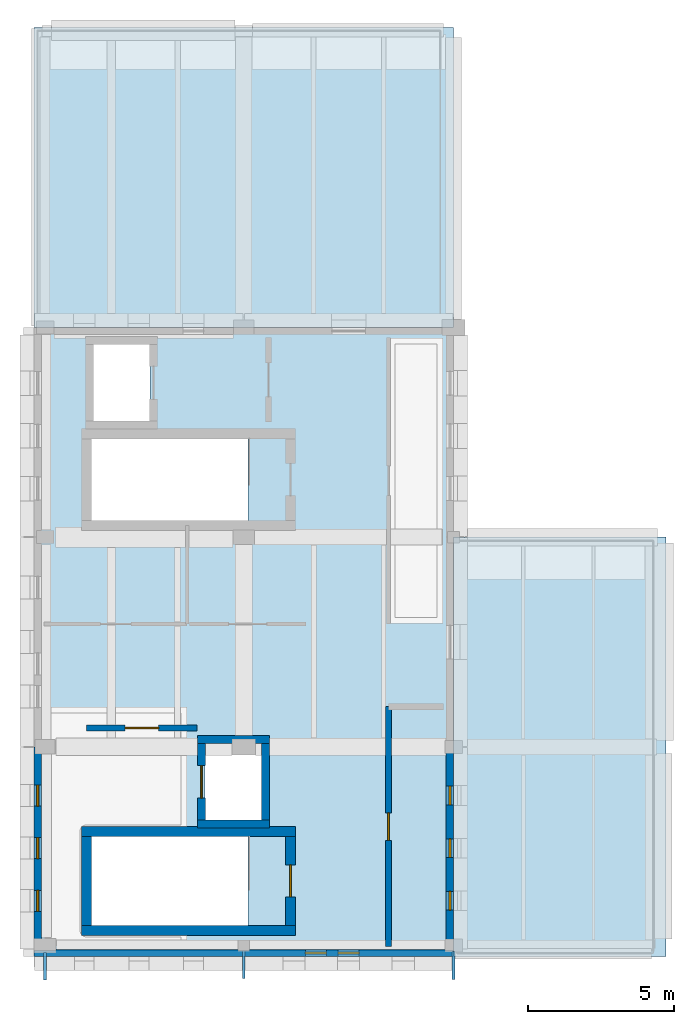
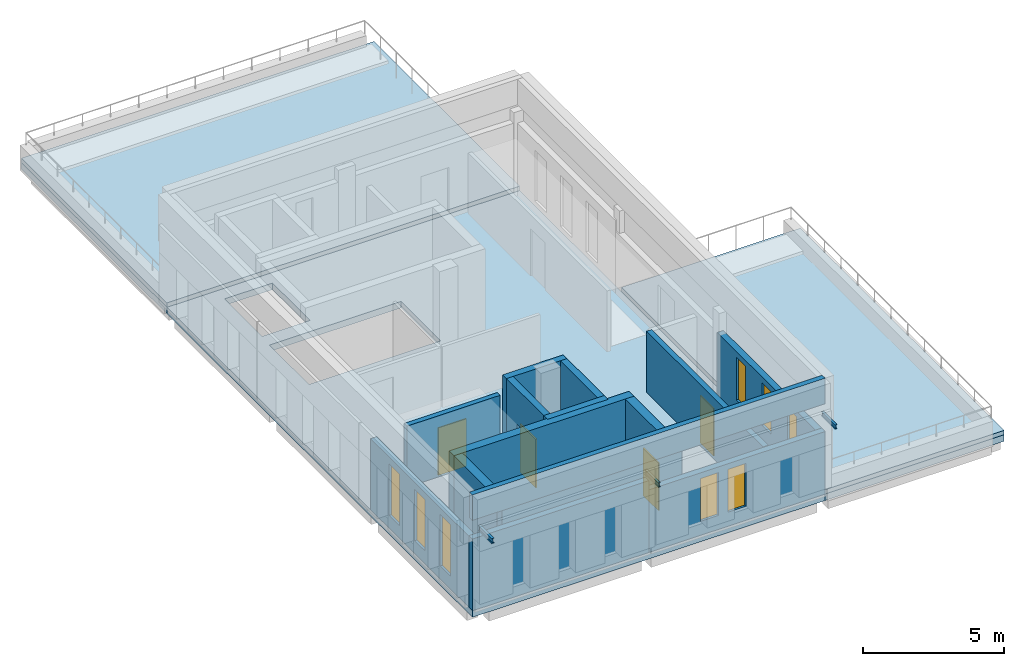
# One storey, part 2 of 6: 15 walls, 8 windows, 5 slabs, 4 doors, 3 members, 12 openings.
"""IFC4 building model written with IfcOpenShell, lengths in metres."""

from ifc_helpers import new_model, si_unit, direction, frame, frame_2d, origin, origin_2d, place, context, subcontext, project, spatial, polyline, rectangle, i_section, outline, extrude, material, layer, layer_set, material_profile, profile_set, type_object, element, fill, save


model = new_model("IFC4")

# Units and contexts
model_context = context("Model", 3, precision=1e-05, world=origin(), true_north=direction((0.0, 1.0)))
body_context = subcontext(model_context, "Body", "Model", "MODEL_VIEW")
ifc_project = project(units=[si_unit("LENGTHUNIT", "METRE"), si_unit("AREAUNIT", "SQUARE_METRE"), si_unit("VOLUMEUNIT", "CUBIC_METRE"), si_unit("PLANEANGLEUNIT", "RADIAN"), si_unit("MASSUNIT", "GRAM", prefix="KILO")], contexts=[model_context])

# Site, building, storey
site_placement = place(None, origin())
site = spatial("IfcSite", under=ifc_project, at=site_placement, CompositionType="ELEMENT")
building_placement = place(site_placement, origin())
building = spatial("IfcBuilding", under=site, at=building_placement, Name="Vardoun Plaza Health Centre", CompositionType="ELEMENT")
storey_placement = place(building_placement, frame((0.0, 0.0, 25.050048828125)))
storey = spatial("IfcBuildingStorey", under=building, at=storey_placement, Name="L06", CompositionType="ELEMENT", Elevation=25.050048828125)

# Members
ifc_material_1 = material(Name="Steel S355J2", Category="steel")
ifc_material_profile_1 = material_profile(ifc_material_1, i_section(OverallWidth=0.110107421875, OverallDepth=0.219970703125, WebThickness=0.005859375, FlangeThickness=0.00927734375, FilletRadius=0.011962890625, at=origin_2d()), Name="IPE 220")
ifc_profile_set_1 = profile_set([ifc_material_profile_1], Name="Steel S355J2")
member_type_1 = type_object("IfcMemberType", Name="CR-02", PredefinedType="RAFTER", material=ifc_profile_set_1)
member_1_placement = place(storey_placement, frame((4.8798828125, 4.64990234375, 3.369873046875), z_axis=(0.0, -1.0, 0.0), x_axis=(1.0, 0.0, 0.0)))
element("IfcMember", 1, at=member_1_placement, inside=storey, type_object=member_type_1, Name="V2 L06 South Facade Shading Fin Arm SH-V2-L06-036", PredefinedType="RAFTER", context=body_context, shape_type="SweptSolid", body=[
    extrude(i_section(OverallWidth=0.110107421875, OverallDepth=0.219970703125, WebThickness=0.005859375, FlangeThickness=0.00927734375, FilletRadius=0.011962890625, at=origin_2d()), origin(), (0.0, 0.0, 1.0), 0.949951171875),
])
ifc_material_2 = material(Name="Steel S355J2", Category="steel")
ifc_material_profile_2 = material_profile(ifc_material_2, i_section(OverallWidth=0.10009765625, OverallDepth=0.199951171875, WebThickness=0.005615234375, FlangeThickness=0.008544921875, FilletRadius=0.011962890625, at=origin_2d()), Name="IPE 200")
ifc_profile_set_2 = profile_set([ifc_material_profile_2], Name="Steel S355J2")
member_type_2 = type_object("IfcMemberType", Name="CR-03", PredefinedType="RAFTER", material=ifc_profile_set_2)
member_2_placement = place(storey_placement, frame((11.699951171875, 4.699951171875, 3.369873046875), z_axis=(0.0, -1.0, 0.0), x_axis=(1.0, 0.0, 0.0)))
element("IfcMember", 2, at=member_2_placement, inside=storey, type_object=member_type_2, Name="V2 L06 South Facade Shading Fin Arm SH-V2-L06-037", PredefinedType="RAFTER", context=body_context, shape_type="SweptSolid", body=[
    extrude(i_section(OverallWidth=0.10009765625, OverallDepth=0.199951171875, WebThickness=0.005615234375, FlangeThickness=0.008544921875, FilletRadius=0.011962890625, at=origin_2d()), origin(), (0.0, 0.0, 1.0), 0.949951171875),
])
ifc_material_3 = material(Name="Steel S355J2", Category="steel")
ifc_material_profile_3 = material_profile(ifc_material_3, i_section(OverallWidth=0.091064453125, OverallDepth=0.179931640625, WebThickness=0.00537109375, FlangeThickness=0.008056640625, FilletRadius=0.009033203125, at=origin_2d()), Name="IPE 180")
ifc_profile_set_3 = profile_set([ifc_material_profile_3], Name="Steel S355J2")
member_type_3 = type_object("IfcMemberType", Name="CR-04", PredefinedType="RAFTER", material=ifc_profile_set_3)
member_3_placement = place(storey_placement, frame((18.89990234375, 4.675048828125, 3.369873046875), z_axis=(0.0, -1.0, 0.0), x_axis=(1.0, 0.0, 0.0)))
element("IfcMember", 3, at=member_3_placement, inside=storey, type_object=member_type_3, Name="V2 L06 South Facade Shading Fin Arm SH-V2-L06-038", PredefinedType="RAFTER", context=body_context, shape_type="SweptSolid", body=[
    extrude(i_section(OverallWidth=0.091064453125, OverallDepth=0.179931640625, WebThickness=0.00537109375, FlangeThickness=0.008056640625, FilletRadius=0.009033203125, at=origin_2d()), origin(), (0.0, 0.0, 1.0), 0.949951171875),
])

# Slabs
ifc_material_4 = material(Name="Pale Limestone Concrete C35/45", Category="masonry")
ifc_layer_1 = layer(ifc_material_4, 0.239990234375)
ifc_layer_set_1 = layer_set([ifc_layer_1], Name="Pale Limestone Concrete C35/45")
slab_type_1 = type_object("IfcSlabType", Name="RF-01", PredefinedType="ROOF", material=ifc_layer_set_1)
slab_1_placement = place(storey_placement, frame((0.0, 0.0, -0.280029296875)))
element("IfcSlab", 4, at=slab_1_placement, inside=storey, type_object=slab_type_1, Name="V2 L06 Step-Back Structural Roof Slab 1", PredefinedType="ROOF", context=body_context, shape_type="SweptSolid", body=[
    extrude(outline(polyline([(4.5, 26.10009765625), (18.89990234375, 26.10009765625), (18.89990234375, 36.39990234375), (4.5, 36.39990234375), (4.5, 26.10009765625)])), origin(), (0.0, 0.0, 1.0), 0.280029296875),
])
slab_2_placement = place(storey_placement, frame((0.0, 0.0, -0.280029296875)))
element("IfcSlab", 5, at=slab_2_placement, inside=storey, type_object=slab_type_1, Name="V2 L06 Step-Back Structural Roof Slab 2", PredefinedType="ROOF", context=body_context, shape_type="SweptSolid", body=[
    extrude(outline(polyline([(18.89990234375, 4.5), (26.199951171875, 4.5), (26.199951171875, 18.89990234375), (18.89990234375, 18.89990234375), (18.89990234375, 4.5)])), origin(), (0.0, 0.0, 1.0), 0.280029296875),
])
ifc_material_5 = material(Name="Concrete C35/45", Category="concrete")
ifc_layer_2 = layer(ifc_material_5, 0.280029296875)
ifc_layer_set_2 = layer_set([ifc_layer_2], Name="Concrete C35/45")
slab_type_2 = type_object("IfcSlabType", Name="SL-03", PredefinedType="FLOOR", material=ifc_layer_set_2)
slab_3_placement = place(storey_placement, frame((0.0, 0.0, -0.280029296875)))
element("IfcSlab", 6, at=slab_3_placement, inside=storey, type_object=slab_type_2, Name="V2 L06 Structural Slab", PredefinedType="FLOOR", context=body_context, shape_type="SweptSolid", body=[
    extrude(outline(polyline([(4.5, 4.5), (18.89990234375, 4.5), (18.89990234375, 26.10009765625), (4.5, 26.10009765625), (4.5, 4.5)]), holes=[polyline([(6.47509765625, 5.574951171875), (11.849365234375, 5.574951171875), (11.849365234375, 8.625), (6.47509765625, 8.625), (6.47509765625, 5.574951171875)]), polyline([(10.3701171875, 9.169921875), (12.330078125, 9.169921875), (12.330078125, 11.830078125), (10.3701171875, 11.830078125), (10.3701171875, 9.169921875)]), polyline([(6.47509765625, 19.47509765625), (11.849365234375, 19.47509765625), (11.849365234375, 22.27490234375), (6.47509765625, 22.27490234375), (6.47509765625, 19.47509765625)]), polyline([(6.52001953125, 22.8701171875), (8.47998046875, 22.8701171875), (8.47998046875, 25.530029296875), (6.52001953125, 25.530029296875), (6.52001953125, 22.8701171875)])]), origin(), (0.0, 0.0, 1.0), 0.280029296875),
])
ifc_material_6 = material(Name="Pale Limestone Concrete C35/45", Category="masonry")
ifc_layer_3 = layer(ifc_material_6, 0.18994140625)
ifc_layer_set_3 = layer_set([ifc_layer_3], Name="Pale Limestone Concrete C35/45")
slab_type_3 = type_object("IfcSlabType", Name="SL-T1", PredefinedType="FLOOR", material=ifc_layer_set_3)
slab_4_placement = place(storey_placement, origin())
element("IfcSlab", 7, at=slab_4_placement, inside=storey, type_object=slab_type_3, Name="V2 L06 Planted Roof-Garden Terrace 1", PredefinedType="FLOOR", context=body_context, shape_type="SweptSolid", body=[
    extrude(outline(polyline([(4.5, 26.10009765625), (18.89990234375, 26.10009765625), (18.89990234375, 36.39990234375), (4.5, 36.39990234375), (4.5, 26.10009765625)])), origin(), (0.0, 0.0, 1.0), 0.18994140625),
])
slab_5_placement = place(storey_placement, origin())
element("IfcSlab", 8, at=slab_5_placement, inside=storey, type_object=slab_type_3, Name="V2 L06 Planted Roof-Garden Terrace 2", PredefinedType="FLOOR", context=body_context, shape_type="SweptSolid", body=[
    extrude(outline(polyline([(18.89990234375, 4.5), (26.199951171875, 4.5), (26.199951171875, 18.89990234375), (18.89990234375, 18.89990234375), (18.89990234375, 4.5)])), origin(), (0.0, 0.0, 1.0), 0.18994140625),
])

# Wall
ifc_material_7 = material(Name="Concrete C40/50", Category="concrete")
ifc_layer_4 = layer(ifc_material_7, 0.27001953125)
ifc_layer_set_4 = layer_set([ifc_layer_4], Name="Concrete C40/50")
wall_type_1 = type_object("IfcWallType", Name="SW-03", PredefinedType="SHEAR", material=ifc_layer_set_4)
wall_1_placement = place(storey_placement, frame((12.5849609375, 9.050048828125, 0.0), z_axis=(0.0, 0.0, 1.0), x_axis=(-1.0, 0.0, 0.0)))
element("IfcWall", 9, at=wall_1_placement, inside=storey, type_object=wall_type_1, Name="Lift LF-01 L06 Shaft Wall S", PredefinedType="SHEAR", context=body_context, shape_type="SweptSolid", body=[
    extrude(rectangle(XDim=2.469970703125, YDim=0.27001953125, at=frame_2d((1.23486328125, 0.0))), origin(), (0.0, 0.0, 1.0), 3.619873046875),
])

# Wall, opening, door
wall_2_placement = place(storey_placement, frame((10.25, 9.18505859375, 0.0), z_axis=(0.0, 0.0, 1.0), x_axis=(0.0, 1.0, 0.0)))
wall_2 = element("IfcWall", 10, at=wall_2_placement, inside=storey, type_object=wall_type_1, Name="Lift LF-01 L06 Shaft Wall W", PredefinedType="SHEAR", context=body_context, shape_type="SweptSolid", body=[
    extrude(rectangle(XDim=2.6298828125, YDim=0.27001953125, at=frame_2d((1.31494140625, 0.0))), origin(), (0.0, 0.0, 1.0), 3.619873046875),
])
opening_1_placement = place(wall_2_placement, frame((0.7548828125, 0.0, 0.0)))
opening_1 = element("IfcOpeningElement", 11, at=opening_1_placement, cuts=wall_2, Name="Opening LD-LF-01-L06", PredefinedType="OPENING", context=body_context, shape_type="SweptSolid", body=[
    extrude(rectangle(XDim=1.1201171875, YDim=2.10009765625, at=frame_2d((0.56005859375, 1.050048828125))), frame((0.0, 0.135009765625, 0.0), z_axis=(0.0, -1.0, 0.0), x_axis=(1.0, 0.0, 0.0)), (0.0, 0.0, 1.0), 0.27001953125),
])
ifc_material_8 = material(Name="Brushed Stainless Steel Grade 316L", Category="steel")
door_type_1 = type_object("IfcDoorType", Name="LD-01", OperationType="DOUBLE_DOOR_SLIDING", PredefinedType="DOOR", material=ifc_material_8)
door_1_placement = place(opening_1_placement, origin())
door_1 = element("IfcDoor", 12, at=door_1_placement, inside=storey, type_object=door_type_1, Name="Lift LF-01 L06 Sliding Landing Door", OperationType="DOUBLE_DOOR_SLIDING", OverallHeight=2.10009765625, OverallWidth=1.1201171875, PredefinedType="DOOR", context=body_context, shape_type="SweptSolid", body=[
    extrude(rectangle(XDim=1.1201171875, YDim=2.10009765625, at=frame_2d((0.56005859375, 1.050048828125))), frame((0.0, 0.02490234375, 0.0), z_axis=(0.0, -1.0, 0.0), x_axis=(1.0, 0.0, 0.0)), (0.0, 0.0, 1.0), 0.050048828125),
])
fill(opening_1, door_1)

# Walls
wall_3_placement = place(storey_placement, frame((10.114990234375, 11.949951171875, 0.0), z_axis=(0.0, 0.0, 1.0), x_axis=(1.0, 0.0, 0.0)))
element("IfcWall", 13, at=wall_3_placement, inside=storey, type_object=wall_type_1, Name="Lift LF-01 L06 Shaft Wall N", PredefinedType="SHEAR", context=body_context, shape_type="SweptSolid", body=[
    extrude(rectangle(XDim=2.469970703125, YDim=0.27001953125, at=frame_2d((1.23486328125, 0.0))), origin(), (0.0, 0.0, 1.0), 3.619873046875),
])
wall_4_placement = place(storey_placement, frame((12.449951171875, 11.81494140625, 0.0), z_axis=(0.0, 0.0, 1.0), x_axis=(0.0, -1.0, 0.0)))
element("IfcWall", 14, at=wall_4_placement, inside=storey, type_object=wall_type_1, Name="Lift LF-01 L06 Shaft Wall E", PredefinedType="SHEAR", context=body_context, shape_type="SweptSolid", body=[
    extrude(rectangle(XDim=2.6298828125, YDim=0.27001953125, at=frame_2d((1.31494140625, 0.0))), origin(), (0.0, 0.0, 1.0), 3.619873046875),
])
ifc_material_9 = material(Name="Concrete C40/50", Category="concrete")
ifc_layer_5 = layer(ifc_material_9, 0.35009765625)
ifc_layer_set_5 = layer_set([ifc_layer_5], Name="Concrete C40/50")
wall_type_2 = type_object("IfcWallType", Name="SW-02", PredefinedType="SHEAR", material=ifc_layer_set_5)
wall_5_placement = place(storey_placement, frame((13.47509765625, 5.39990234375, 0.0), z_axis=(0.0, 0.0, 1.0), x_axis=(-1.0, 0.0, 0.0)))
element("IfcWall", 15, at=wall_5_placement, inside=storey, type_object=wall_type_2, Name="Core C1 L06 Shear Wall S", PredefinedType="SHEAR", context=body_context, shape_type="SweptSolid", body=[
    extrude(rectangle(XDim=7.35009765625, YDim=0.35009765625, at=frame_2d((3.675048828125, 0.0))), origin(), (0.0, 0.0, 1.0), 3.619873046875),
])
wall_6_placement = place(storey_placement, frame((6.300048828125, 5.574951171875, 0.0), z_axis=(0.0, 0.0, 1.0), x_axis=(0.0, 1.0, 0.0)))
element("IfcWall", 16, at=wall_6_placement, inside=storey, type_object=wall_type_2, Name="Core C1 L06 Shear Wall W", PredefinedType="SHEAR", context=body_context, shape_type="SweptSolid", body=[
    extrude(rectangle(XDim=3.050048828125, YDim=0.35009765625, at=frame_2d((1.52490234375, 0.0))), origin(), (0.0, 0.0, 1.0), 3.619873046875),
])
wall_7_placement = place(storey_placement, frame((6.125, 8.800048828125, 0.0), z_axis=(0.0, 0.0, 1.0), x_axis=(1.0, 0.0, 0.0)))
element("IfcWall", 17, at=wall_7_placement, inside=storey, type_object=wall_type_2, Name="Core C1 L06 Shear Wall N", PredefinedType="SHEAR", context=body_context, shape_type="SweptSolid", body=[
    extrude(rectangle(XDim=7.35009765625, YDim=0.35009765625, at=frame_2d((3.675048828125, 0.0))), origin(), (0.0, 0.0, 1.0), 3.619873046875),
])

# Wall, opening, door
wall_8_placement = place(storey_placement, frame((13.300048828125, 8.625, 0.0), z_axis=(0.0, 0.0, 1.0), x_axis=(0.0, -1.0, 0.0)))
wall_8 = element("IfcWall", 18, at=wall_8_placement, inside=storey, type_object=wall_type_2, Name="Core C1 L06 Shear Wall E", PredefinedType="SHEAR", context=body_context, shape_type="SweptSolid", body=[
    extrude(rectangle(XDim=3.050048828125, YDim=0.35009765625, at=frame_2d((1.52490234375, 0.0))), origin(), (0.0, 0.0, 1.0), 3.619873046875),
])
opening_2_placement = place(wall_8_placement, frame((0.97509765625, 0.0, 0.0)))
opening_2 = element("IfcOpeningElement", 19, at=opening_2_placement, cuts=wall_8, Name="Opening SD-C1-L06", PredefinedType="OPENING", context=body_context, shape_type="SweptSolid", body=[
    extrude(rectangle(XDim=1.10009765625, YDim=2.050048828125, at=frame_2d((0.550048828125, 1.02490234375))), frame((0.0, 0.175048828125, 0.0), z_axis=(0.0, -1.0, 0.0), x_axis=(1.0, 0.0, 0.0)), (0.0, 0.0, 1.0), 0.35009765625),
])
ifc_material_10 = material(Name="Brushed Stainless Steel Grade 316L", Category="steel")
door_type_2 = type_object("IfcDoorType", Name="FD-01", OperationType="NOTDEFINED", PredefinedType="DOOR", material=ifc_material_10)
door_2_placement = place(opening_2_placement, origin())
door_2 = element("IfcDoor", 20, at=door_2_placement, inside=storey, type_object=door_type_2, Name="Stair C1 L06 Fire Door", OperationType="SINGLE_SWING_LEFT", OverallHeight=2.050048828125, OverallWidth=1.10009765625, PredefinedType="DOOR", context=body_context, shape_type="SweptSolid", body=[
    extrude(rectangle(XDim=1.10009765625, YDim=2.050048828125, at=frame_2d((0.550048828125, 1.02490234375))), frame((0.0, 0.02490234375, 0.0), z_axis=(0.0, -1.0, 0.0), x_axis=(1.0, 0.0, 0.0)), (0.0, 0.0, 1.0), 0.050048828125),
])
fill(opening_2, door_2)

# Wall, openings, windows
ifc_material_11 = material(Name="Pale Limestone Concrete C35/45", Category="masonry")
ifc_layer_6 = layer(ifc_material_11, 0.25)
ifc_layer_set_6 = layer_set([ifc_layer_6], Name="Pale Limestone Concrete C35/45")
wall_type_3 = type_object("IfcWallType", Name="EW-07", PredefinedType="STANDARD", material=ifc_layer_set_6)
wall_9_placement = place(storey_placement, frame((18.77490234375, 11.699951171875, 0.0), z_axis=(0.0, 0.0, 1.0), x_axis=(0.0, -1.0, 0.0)))
wall_9 = element("IfcWall", 21, at=wall_9_placement, inside=storey, type_object=wall_type_3, Name="V2 L06 Exterior Wall EW-V2-216", PredefinedType="STANDARD", context=body_context, shape_type="SweptSolid", body=[
    extrude(rectangle(XDim=6.949951171875, YDim=0.25, at=frame_2d((3.47509765625, 0.0))), origin(), (0.0, 0.0, 1.0), 2.695068359375),
])
opening_3_placement = place(wall_9_placement, frame((1.347900390625, 0.0, 0.60009765625)))
opening_3 = element("IfcOpeningElement", 22, at=opening_3_placement, cuts=wall_9, Name="Opening W-25-013", PredefinedType="OPENING", context=body_context, shape_type="SweptSolid", body=[
    extrude(rectangle(XDim=0.639892578125, YDim=1.85009765625, at=frame_2d((0.31982421875, 0.925048828125))), frame((0.0, 0.125, 0.0), z_axis=(0.0, -1.0, 0.0), x_axis=(1.0, 0.0, 0.0)), (0.0, 0.0, 1.0), 0.25),
])
opening_4_placement = place(wall_9_placement, frame((3.155029296875, 0.0, 0.60009765625)))
opening_4 = element("IfcOpeningElement", 23, at=opening_4_placement, cuts=wall_9, Name="Opening W-25-014", PredefinedType="OPENING", context=body_context, shape_type="SweptSolid", body=[
    extrude(rectangle(XDim=0.639892578125, YDim=1.85009765625, at=frame_2d((0.31982421875, 0.925048828125))), frame((0.0, 0.125, 0.0), z_axis=(0.0, -1.0, 0.0), x_axis=(1.0, 0.0, 0.0)), (0.0, 0.0, 1.0), 0.25),
])
opening_5_placement = place(wall_9_placement, frame((4.9619140625, 0.0, 0.60009765625)))
opening_5 = element("IfcOpeningElement", 24, at=opening_5_placement, cuts=wall_9, Name="Opening W-25-015", PredefinedType="OPENING", context=body_context, shape_type="SweptSolid", body=[
    extrude(rectangle(XDim=0.639892578125, YDim=1.85009765625, at=frame_2d((0.31982421875, 0.925048828125))), frame((0.0, 0.125, 0.0), z_axis=(0.0, -1.0, 0.0), x_axis=(1.0, 0.0, 0.0)), (0.0, 0.0, 1.0), 0.25),
])
ifc_material_12 = material(Name="Aluminium Alloy EN AW-6063-T6 and Low-E Glass", Category="aluminium")
window_type_1 = type_object("IfcWindowType", Name="W-25", PartitioningType="SINGLE_PANEL", PredefinedType="WINDOW", material=ifc_material_12)
window_1_placement = place(opening_3_placement, origin())
window_1 = element("IfcWindow", 25, at=window_1_placement, inside=storey, type_object=window_type_1, Name="V2 L06 Deep-Punched Slot Window W-25-336", OverallHeight=1.85009765625, OverallWidth=0.639892578125, PartitioningType="SINGLE_PANEL", PredefinedType="WINDOW", context=body_context, shape_type="SweptSolid", body=[
    extrude(rectangle(XDim=0.639892578125, YDim=1.85009765625, at=frame_2d((0.31982421875, 0.925048828125))), frame((0.0, 0.030029296875, 0.0), z_axis=(0.0, -1.0, 0.0), x_axis=(1.0, 0.0, 0.0)), (0.0, 0.0, 1.0), 0.06005859375),
])
fill(opening_3, window_1)
window_2_placement = place(opening_4_placement, origin())
window_2 = element("IfcWindow", 26, at=window_2_placement, inside=storey, type_object=window_type_1, Name="V2 L06 Deep-Punched Slot Window W-25-337", OverallHeight=1.85009765625, OverallWidth=0.639892578125, PartitioningType="SINGLE_PANEL", PredefinedType="WINDOW", context=body_context, shape_type="SweptSolid", body=[
    extrude(rectangle(XDim=0.639892578125, YDim=1.85009765625, at=frame_2d((0.31982421875, 0.925048828125))), frame((0.0, 0.030029296875, 0.0), z_axis=(0.0, -1.0, 0.0), x_axis=(1.0, 0.0, 0.0)), (0.0, 0.0, 1.0), 0.06005859375),
])
fill(opening_4, window_2)
window_3_placement = place(opening_5_placement, origin())
window_3 = element("IfcWindow", 27, at=window_3_placement, inside=storey, type_object=window_type_1, Name="V2 L06 Deep-Punched Slot Window W-25-338", OverallHeight=1.85009765625, OverallWidth=0.639892578125, PartitioningType="SINGLE_PANEL", PredefinedType="WINDOW", context=body_context, shape_type="SweptSolid", body=[
    extrude(rectangle(XDim=0.639892578125, YDim=1.85009765625, at=frame_2d((0.31982421875, 0.925048828125))), frame((0.0, 0.030029296875, 0.0), z_axis=(0.0, -1.0, 0.0), x_axis=(1.0, 0.0, 0.0)), (0.0, 0.0, 1.0), 0.06005859375),
])
fill(opening_5, window_3)

wall_10_placement = place(storey_placement, frame((18.89990234375, 4.625, 0.0), z_axis=(0.0, 0.0, 1.0), x_axis=(-1.0, 0.0, 0.0)))
wall_10 = element("IfcWall", 28, at=wall_10_placement, inside=storey, type_object=wall_type_3, Name="V2 L06 Exterior Wall EW-V2-217", PredefinedType="STANDARD", context=body_context, shape_type="SweptSolid", body=[
    extrude(rectangle(XDim=7.199951171875, YDim=0.25, at=frame_2d((3.60009765625, 0.0))), origin(), (0.0, 0.0, 1.0), 2.695068359375),
])
opening_6_placement = place(wall_10_placement, frame((3.239990234375, 0.0, 0.60009765625)))
opening_6 = element("IfcOpeningElement", 29, at=opening_6_placement, cuts=wall_10, Name="Opening W-26-012", PredefinedType="OPENING", context=body_context, shape_type="SweptSolid", body=[
    extrude(rectangle(XDim=0.719970703125, YDim=1.85009765625, at=frame_2d((0.35986328125, 0.925048828125))), frame((0.0, 0.125, 0.0), z_axis=(0.0, -1.0, 0.0), x_axis=(1.0, 0.0, 0.0)), (0.0, 0.0, 1.0), 0.25),
])
opening_7_placement = place(wall_10_placement, frame((4.362060546875, 0.0, 0.60009765625)))
opening_7 = element("IfcOpeningElement", 30, at=opening_7_placement, cuts=wall_10, Name="Opening W-26-013", PredefinedType="OPENING", context=body_context, shape_type="SweptSolid", body=[
    extrude(rectangle(XDim=0.719970703125, YDim=1.85009765625, at=frame_2d((0.35986328125, 0.925048828125))), frame((0.0, 0.125, 0.0), z_axis=(0.0, -1.0, 0.0), x_axis=(1.0, 0.0, 0.0)), (0.0, 0.0, 1.0), 0.25),
])
ifc_material_13 = material(Name="Aluminium Alloy EN AW-6063-T6 and Low-E Glass", Category="aluminium")
window_type_2 = type_object("IfcWindowType", Name="W-26", PartitioningType="SINGLE_PANEL", PredefinedType="WINDOW", material=ifc_material_13)
window_4_placement = place(opening_6_placement, origin())
window_4 = element("IfcWindow", 31, at=window_4_placement, inside=storey, type_object=window_type_2, Name="V2 L06 Deep-Punched Slot Window W-26-340", OverallHeight=1.85009765625, OverallWidth=0.719970703125, PartitioningType="SINGLE_PANEL", PredefinedType="WINDOW", context=body_context, shape_type="SweptSolid", body=[
    extrude(rectangle(XDim=0.719970703125, YDim=1.85009765625, at=frame_2d((0.35986328125, 0.925048828125))), frame((0.0, 0.030029296875, 0.0), z_axis=(0.0, -1.0, 0.0), x_axis=(1.0, 0.0, 0.0)), (0.0, 0.0, 1.0), 0.06005859375),
])
fill(opening_6, window_4)
window_5_placement = place(opening_7_placement, origin())
window_5 = element("IfcWindow", 32, at=window_5_placement, inside=storey, type_object=window_type_2, Name="V2 L06 Deep-Punched Slot Window W-26-341", OverallHeight=1.85009765625, OverallWidth=0.719970703125, PartitioningType="SINGLE_PANEL", PredefinedType="WINDOW", context=body_context, shape_type="SweptSolid", body=[
    extrude(rectangle(XDim=0.719970703125, YDim=1.85009765625, at=frame_2d((0.35986328125, 0.925048828125))), frame((0.0, 0.030029296875, 0.0), z_axis=(0.0, -1.0, 0.0), x_axis=(1.0, 0.0, 0.0)), (0.0, 0.0, 1.0), 0.06005859375),
])
fill(opening_7, window_5)

# Wall
wall_11_placement = place(storey_placement, frame((11.699951171875, 4.625, 0.0), z_axis=(0.0, 0.0, 1.0), x_axis=(-1.0, 0.0, 0.0)))
element("IfcWall", 33, at=wall_11_placement, inside=storey, type_object=wall_type_3, Name="V2 L06 Exterior Wall EW-V2-218", PredefinedType="STANDARD", context=body_context, shape_type="SweptSolid", body=[
    extrude(rectangle(XDim=7.199951171875, YDim=0.25, at=frame_2d((3.60009765625, 0.0))), origin(), (0.0, 0.0, 1.0), 3.094970703125),
])

# Wall, openings, windows
wall_12_placement = place(storey_placement, frame((4.625, 4.75, 0.0), z_axis=(0.0, 0.0, 1.0), x_axis=(0.0, 1.0, 0.0)))
wall_12 = element("IfcWall", 34, at=wall_12_placement, inside=storey, type_object=wall_type_3, Name="V2 L06 Exterior Wall EW-V2-219", PredefinedType="STANDARD", context=body_context, shape_type="SweptSolid", body=[
    extrude(rectangle(XDim=6.949951171875, YDim=0.25, at=frame_2d((3.47509765625, 0.0))), origin(), (0.0, 0.0, 1.0), 3.06494140625),
])
opening_8_placement = place(wall_12_placement, frame((1.30810546875, 0.0, 0.550048828125)))
opening_8 = element("IfcOpeningElement", 35, at=opening_8_placement, cuts=wall_12, Name="Opening W-14-001", PredefinedType="OPENING", context=body_context, shape_type="SweptSolid", body=[
    extrude(rectangle(XDim=0.719970703125, YDim=2.219970703125, at=frame_2d((0.35986328125, 1.10986328125))), frame((0.0, 0.125, 0.0), z_axis=(0.0, -1.0, 0.0), x_axis=(1.0, 0.0, 0.0)), (0.0, 0.0, 1.0), 0.25),
])
opening_9_placement = place(wall_12_placement, frame((3.114990234375, 0.0, 0.550048828125)))
opening_9 = element("IfcOpeningElement", 36, at=opening_9_placement, cuts=wall_12, Name="Opening W-14-002", PredefinedType="OPENING", context=body_context, shape_type="SweptSolid", body=[
    extrude(rectangle(XDim=0.719970703125, YDim=2.219970703125, at=frame_2d((0.35986328125, 1.10986328125))), frame((0.0, 0.125, 0.0), z_axis=(0.0, -1.0, 0.0), x_axis=(1.0, 0.0, 0.0)), (0.0, 0.0, 1.0), 0.25),
])
opening_10_placement = place(wall_12_placement, frame((4.922119140625, 0.0, 0.550048828125)))
opening_10 = element("IfcOpeningElement", 37, at=opening_10_placement, cuts=wall_12, Name="Opening W-14-003", PredefinedType="OPENING", context=body_context, shape_type="SweptSolid", body=[
    extrude(rectangle(XDim=0.719970703125, YDim=2.219970703125, at=frame_2d((0.35986328125, 1.10986328125))), frame((0.0, 0.125, 0.0), z_axis=(0.0, -1.0, 0.0), x_axis=(1.0, 0.0, 0.0)), (0.0, 0.0, 1.0), 0.25),
])
ifc_material_14 = material(Name="Aluminium Alloy EN AW-6063-T6 and Low-E Glass", Category="aluminium")
window_type_3 = type_object("IfcWindowType", Name="W-14", PartitioningType="SINGLE_PANEL", PredefinedType="WINDOW", material=ifc_material_14)
window_6_placement = place(opening_8_placement, origin())
window_6 = element("IfcWindow", 38, at=window_6_placement, inside=storey, type_object=window_type_3, Name="V2 L06 Deep-Punched Slot Window W-14-345", OverallHeight=2.219970703125, OverallWidth=0.719970703125, PartitioningType="SINGLE_PANEL", PredefinedType="WINDOW", context=body_context, shape_type="SweptSolid", body=[
    extrude(rectangle(XDim=0.719970703125, YDim=2.219970703125, at=frame_2d((0.35986328125, 1.10986328125))), frame((0.0, 0.030029296875, 0.0), z_axis=(0.0, -1.0, 0.0), x_axis=(1.0, 0.0, 0.0)), (0.0, 0.0, 1.0), 0.06005859375),
])
fill(opening_8, window_6)
window_7_placement = place(opening_9_placement, origin())
window_7 = element("IfcWindow", 39, at=window_7_placement, inside=storey, type_object=window_type_3, Name="V2 L06 Deep-Punched Slot Window W-14-346", OverallHeight=2.219970703125, OverallWidth=0.719970703125, PartitioningType="SINGLE_PANEL", PredefinedType="WINDOW", context=body_context, shape_type="SweptSolid", body=[
    extrude(rectangle(XDim=0.719970703125, YDim=2.219970703125, at=frame_2d((0.35986328125, 1.10986328125))), frame((0.0, 0.030029296875, 0.0), z_axis=(0.0, -1.0, 0.0), x_axis=(1.0, 0.0, 0.0)), (0.0, 0.0, 1.0), 0.06005859375),
])
fill(opening_9, window_7)
window_8_placement = place(opening_10_placement, origin())
window_8 = element("IfcWindow", 40, at=window_8_placement, inside=storey, type_object=window_type_3, Name="V2 L06 Deep-Punched Slot Window W-14-347", OverallHeight=2.219970703125, OverallWidth=0.719970703125, PartitioningType="SINGLE_PANEL", PredefinedType="WINDOW", context=body_context, shape_type="SweptSolid", body=[
    extrude(rectangle(XDim=0.719970703125, YDim=2.219970703125, at=frame_2d((0.35986328125, 1.10986328125))), frame((0.0, 0.030029296875, 0.0), z_axis=(0.0, -1.0, 0.0), x_axis=(1.0, 0.0, 0.0)), (0.0, 0.0, 1.0), 0.06005859375),
])
fill(opening_10, window_8)

# Wall
ifc_material_15 = material(Name="Pale Limestone Concrete C35/45", Category="masonry")
ifc_layer_7 = layer(ifc_material_15, 0.2099609375)
ifc_layer_set_7 = layer_set([ifc_layer_7], Name="Pale Limestone Concrete C35/45")
wall_type_4 = type_object("IfcWallType", Name="PW-01", PredefinedType="PARAPET", material=ifc_layer_set_7)
wall_13_placement = place(storey_placement, frame((18.89990234375, 4.60498046875, 3.89990234375), z_axis=(0.0, 0.0, 1.0), x_axis=(-1.0, 0.0, 0.0)))
element("IfcWall", 41, at=wall_13_placement, inside=storey, type_object=wall_type_4, Name="V2 Crown Parapet Wall 3", PredefinedType="PARAPET", context=body_context, shape_type="SweptSolid", body=[
    extrude(rectangle(XDim=14.39990234375, YDim=0.2099609375, at=frame_2d((7.199951171875, 0.0))), origin(), (0.0, 0.0, 1.0), 1.10009765625),
])

# Wall, opening, door
ifc_material_16 = material(Name="Concrete C35/45", Category="concrete")
ifc_layer_8 = layer(ifc_material_16, 0.199951171875)
ifc_layer_set_8 = layer_set([ifc_layer_8], Name="Concrete C35/45")
wall_type_5 = type_object("IfcWallType", Name="IW-01", PredefinedType="SOLIDWALL", material=ifc_layer_set_8)
wall_14_placement = place(storey_placement, frame((6.300048828125, 12.35009765625, 0.0), z_axis=(0.0, 0.0, 1.0), x_axis=(1.0, 0.0, 0.0)))
wall_14 = element("IfcWall", 42, at=wall_14_placement, inside=storey, type_object=wall_type_5, Name="Firefighting Lobby C1 L06 Wall", PredefinedType="SOLIDWALL", context=body_context, shape_type="SweptSolid", body=[
    extrude(rectangle(XDim=3.800048828125, YDim=0.199951171875, at=frame_2d((1.89990234375, 0.0))), origin(), (0.0, 0.0, 1.0), 2.639892578125),
])
opening_11_placement = place(wall_14_placement, frame((1.324951171875, 0.0, 0.0)))
opening_11 = element("IfcOpeningElement", 43, at=opening_11_placement, cuts=wall_14, Name="Opening FD-FF-C1-L06", PredefinedType="OPENING", context=body_context, shape_type="SweptSolid", body=[
    extrude(rectangle(XDim=1.14990234375, YDim=2.050048828125, at=frame_2d((0.574951171875, 1.02490234375))), frame((0.0, 0.10009765625, 0.0), z_axis=(0.0, -1.0, 0.0), x_axis=(1.0, 0.0, 0.0)), (0.0, 0.0, 1.0), 0.199951171875),
])
ifc_material_17 = material(Name="Antimicrobial Acoustic Timber and Steel S275JR", Category="steel")
door_type_3 = type_object("IfcDoorType", Name="FD-02", OperationType="NOTDEFINED", PredefinedType="DOOR", material=ifc_material_17)
door_3_placement = place(opening_11_placement, origin())
door_3 = element("IfcDoor", 44, at=door_3_placement, inside=storey, type_object=door_type_3, Name="Firefighting Lobby C1 L06 Fire Door", OperationType="SINGLE_SWING_RIGHT", OverallHeight=2.050048828125, OverallWidth=1.14990234375, PredefinedType="DOOR", context=body_context, shape_type="SweptSolid", body=[
    extrude(rectangle(XDim=1.14990234375, YDim=2.050048828125, at=frame_2d((0.574951171875, 1.02490234375))), frame((0.0, 0.02490234375, 0.0), z_axis=(0.0, -1.0, 0.0), x_axis=(1.0, 0.0, 0.0)), (0.0, 0.0, 1.0), 0.050048828125),
])
fill(opening_11, door_3)

ifc_material_18 = material(Name="Moisture-Resistant Plumbing Chase", Category="steel")
ifc_layer_9 = layer(ifc_material_18, 0.215087890625)
ifc_layer_set_9 = layer_set([ifc_layer_9], Name="Moisture-Resistant Plumbing Chase")
wall_type_6 = type_object("IfcWallType", Name="IW-06", PredefinedType="PLUMBINGWALL", material=ifc_layer_set_9)
wall_15_placement = place(storey_placement, frame((16.669921875, 4.85009765625, 0.0), z_axis=(0.0, 0.0, 1.0), x_axis=(0.0, 1.0, 0.0)))
wall_15 = element("IfcWall", 45, at=wall_15_placement, inside=storey, type_object=wall_type_6, Name="Accessible WC L06-V2 Partition Wall", PredefinedType="PLUMBINGWALL", context=body_context, shape_type="SweptSolid", body=[
    extrude(rectangle(XDim=8.22998046875, YDim=0.215087890625, at=frame_2d((4.114990234375, 0.0))), origin(), (0.0, 0.0, 1.0), 2.639892578125),
])
opening_12_placement = place(wall_15_placement, frame((3.639892578125, 0.0, 0.0)))
opening_12 = element("IfcOpeningElement", 46, at=opening_12_placement, cuts=wall_15, Name="Opening D-L06-067", PredefinedType="OPENING", context=body_context, shape_type="SweptSolid", body=[
    extrude(rectangle(XDim=0.949951171875, YDim=2.050048828125, at=frame_2d((0.47509765625, 1.02490234375))), frame((0.0, 0.107421875, 0.0), z_axis=(0.0, -1.0, 0.0), x_axis=(1.0, 0.0, 0.0)), (0.0, 0.0, 1.0), 0.215087890625),
])
ifc_material_19 = material(Name="Antimicrobial Acoustic Timber and Steel S275JR", Category="steel")
door_type_4 = type_object("IfcDoorType", Name="CD-07", OperationType="NOTDEFINED", PredefinedType="DOOR", material=ifc_material_19)
door_4_placement = place(opening_12_placement, origin())
door_4 = element("IfcDoor", 47, at=door_4_placement, inside=storey, type_object=door_type_4, Name="Accessible WC L06-V2 Door D-L06-067", OperationType="SINGLE_SWING_LEFT", OverallHeight=2.050048828125, OverallWidth=0.949951171875, PredefinedType="DOOR", context=body_context, shape_type="SweptSolid", body=[
    extrude(rectangle(XDim=0.949951171875, YDim=2.050048828125, at=frame_2d((0.47509765625, 1.02490234375))), frame((0.0, 0.02490234375, 0.0), z_axis=(0.0, -1.0, 0.0), x_axis=(1.0, 0.0, 0.0)), (0.0, 0.0, 1.0), 0.050048828125),
])
fill(opening_12, door_4)

save(model, "model.ifc")
